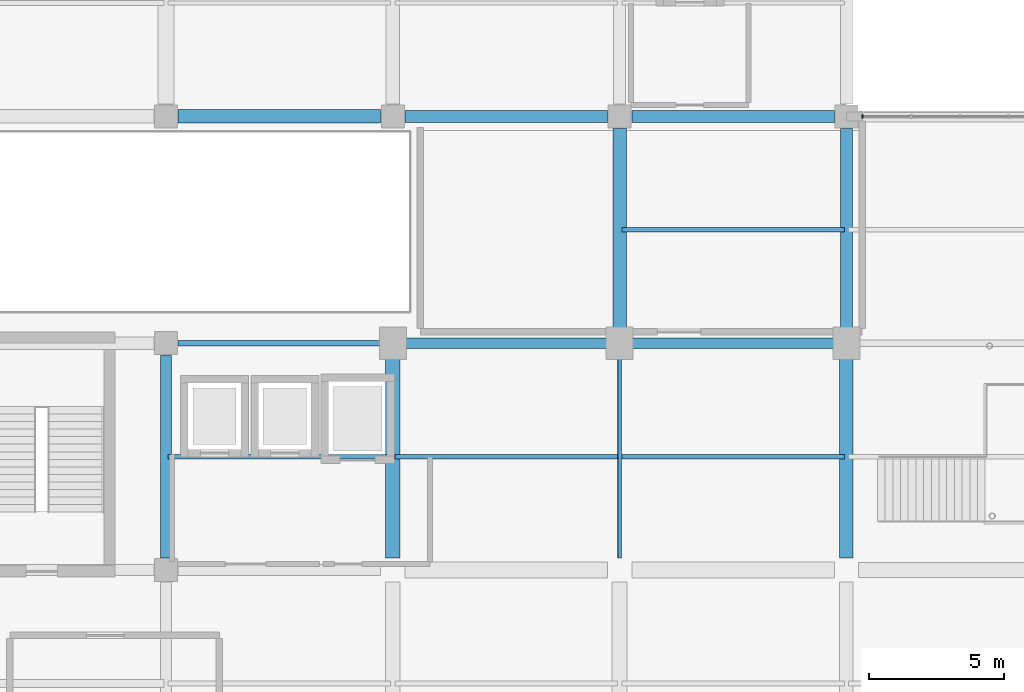
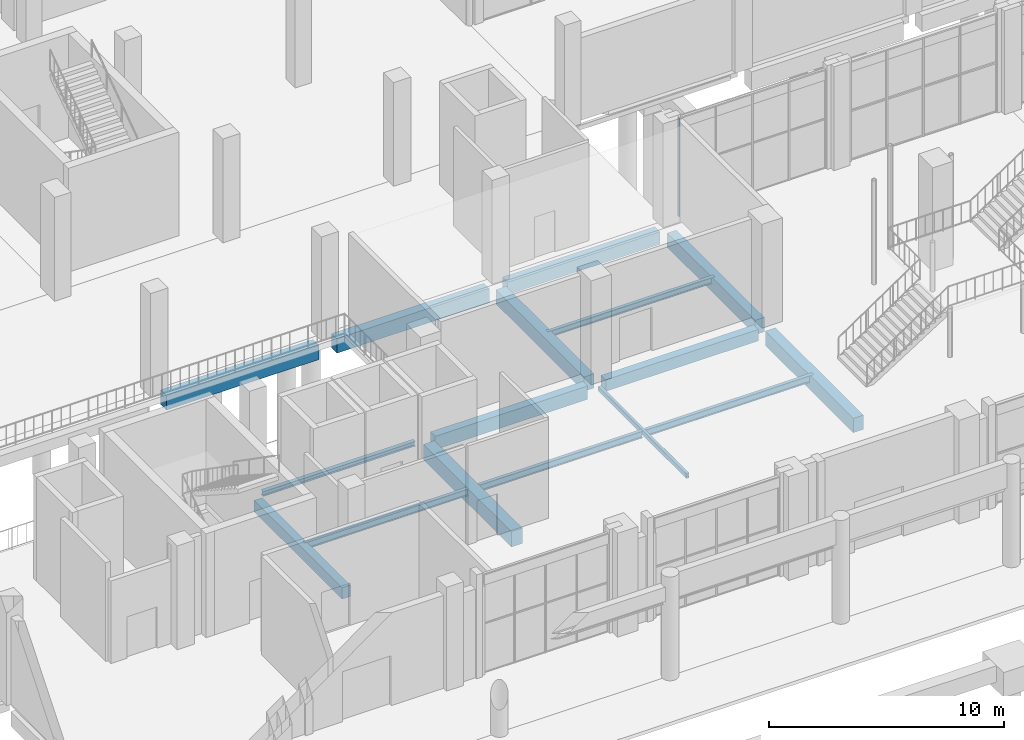
# One storey, part 22 of 82: 16 beams, 1 member, 1 element without a shape of its own.
"""IFC4 building model written with IfcOpenShell, lengths in metres."""

from ifc_helpers import new_model, si_unit, derived_unit, direction, frame, origin, origin_2d, place, context, subcontext, project, spatial, rectangle, hollow_rectangle, i_section, extrude, material, material_profile, profile_set, type_object, element, aggregate, save


model = new_model("IFC4")

# Units and contexts
model_context = context("Model", 3, precision=1e-05, world=origin(), true_north=direction((0.0, 1.0)))
body_context = subcontext(model_context, "Body", "Model", "MODEL_VIEW")
ifc_project = project(units=[si_unit("LENGTHUNIT", "METRE"), si_unit("AREAUNIT", "SQUARE_METRE"), si_unit("VOLUMEUNIT", "CUBIC_METRE"), si_unit("PLANEANGLEUNIT", "RADIAN"), si_unit("MASSUNIT", "GRAM", prefix="KILO"), derived_unit("THERMALTRANSMITTANCEUNIT", [(si_unit("POWERUNIT", "WATT"), 1), (si_unit("LENGTHUNIT", "METRE"), -2), (si_unit("THERMODYNAMICTEMPERATUREUNIT", "KELVIN"), -1)])], contexts=[model_context])

# Site, building, storey
site_placement = place(None, origin())
site = spatial("IfcSite", under=ifc_project, at=site_placement, CompositionType="ELEMENT")
building_placement = place(site_placement, origin())
building = spatial("IfcBuilding", under=site, at=building_placement, Name="Barrovel Congress Hotel", CompositionType="ELEMENT")
storey_placement = place(building_placement, origin())
storey = spatial("IfcBuildingStorey", under=building, at=storey_placement, Name="L00", CompositionType="ELEMENT", Elevation=0.0)

# Beams
ifc_material_1 = material(Name="Concrete C40", Category="concrete")
ifc_material_profile_1 = material_profile(ifc_material_1, rectangle(XDim=0.39990234375, YDim=0.60009765625, at=origin_2d()), Name="RC400x600")
ifc_profile_set_1 = profile_set([ifc_material_profile_1], Name="Concrete C40")
beam_type_1 = type_object("IfcBeamType", Name="BM-RC400x600", PredefinedType="BEAM", material=ifc_profile_set_1)
for number, where, z_axis, x_axis, name in (
    (1, (50.85009765625, 21.0, -0.6201171875), (1.0, 0.0, 0.0), (0.0, 1.0, 0.0), "BMX:L00:21.0:50.4-58.8"),
    (2, (33.60009765625, 13.050048828125, -0.6201171875), (0.0, 1.0, 0.0), (-1.0, 0.0, 0.0), "BMY:L00:33.6:12.6-21.0"),
):
    element("IfcBeam", number, at=place(storey_placement, frame(where, z_axis=z_axis, x_axis=x_axis)), inside=storey, type_object=beam_type_1, Name=name, PredefinedType="BEAM", context=body_context, shape_type="SweptSolid", body=[
        extrude(rectangle(XDim=0.39990234375, YDim=0.60009765625, at=origin_2d()), origin(), (0.0, 0.0, 1.0), 7.5),
    ])
ifc_material_profile_2 = material_profile(ifc_material_1, rectangle(XDim=0.39990234375, YDim=0.699951171875, at=origin_2d()), Name="RC400x700")
ifc_profile_set_2 = profile_set([ifc_material_profile_2], Name="Concrete C40")
beam_type_2 = type_object("IfcBeamType", Name="BM-RC400x700", PredefinedType="BEAM", material=ifc_profile_set_2)
beam_1_placement = place(storey_placement, frame((42.449951171875, 21.0, -0.669921875), z_axis=(1.0, 0.0, 0.0), x_axis=(0.0, 1.0, 0.0)))
element("IfcBeam", 3, at=beam_1_placement, inside=storey, type_object=beam_type_2, Name="BMX:L00:21.0:42.0-50.4", PredefinedType="BEAM", context=body_context, shape_type="SweptSolid", body=[
    extrude(rectangle(XDim=0.39990234375, YDim=0.699951171875, at=origin_2d()), origin(), (0.0, 0.0, 1.0), 7.5),
])
ifc_material_profile_3 = material_profile(ifc_material_1, rectangle(XDim=0.449951171875, YDim=0.64990234375, at=origin_2d()), Name="RC450x650")
ifc_profile_set_3 = profile_set([ifc_material_profile_3], Name="Concrete C40")
beam_type_3 = type_object("IfcBeamType", Name="BM-RC450x650", PredefinedType="BEAM", material=ifc_profile_set_3)
beam_2_placement = place(storey_placement, frame((50.85009765625, 29.39990234375, -0.64501953125), z_axis=(1.0, 0.0, 0.0), x_axis=(0.0, 1.0, 0.0)))
element("IfcBeam", 4, at=beam_2_placement, inside=storey, type_object=beam_type_3, Name="BMX:L00:29.4:50.4-58.8", PredefinedType="BEAM", context=body_context, shape_type="SweptSolid", body=[
    extrude(rectangle(XDim=0.449951171875, YDim=0.64990234375, at=origin_2d()), origin(), (0.0, 0.0, 1.0), 7.5),
])
ifc_material_profile_4 = material_profile(ifc_material_1, rectangle(XDim=0.449951171875, YDim=0.75, at=origin_2d()), Name="RC450x750")
ifc_profile_set_4 = profile_set([ifc_material_profile_4], Name="Concrete C40")
beam_type_4 = type_object("IfcBeamType", Name="BM-RC450x750", PredefinedType="BEAM", material=ifc_profile_set_4)
for number, where, z_axis, x_axis, name in (
    (5, (42.449951171875, 29.39990234375, -0.695068359375), (1.0, 0.0, 0.0), (0.0, 1.0, 0.0), "BMX:L00:29.4:42.0-50.4"),
    (6, (58.800048828125, 21.449951171875, -0.695068359375), (0.0, 1.0, 0.0), (-1.0, 0.0, 0.0), "BMY:L00:58.8:21.0-29.4"),
):
    element("IfcBeam", number, at=place(storey_placement, frame(where, z_axis=z_axis, x_axis=x_axis)), inside=storey, type_object=beam_type_4, Name=name, PredefinedType="BEAM", context=body_context, shape_type="SweptSolid", body=[
        extrude(rectangle(XDim=0.449951171875, YDim=0.75, at=origin_2d()), origin(), (0.0, 0.0, 1.0), 7.5),
    ])
ifc_material_profile_5 = material_profile(ifc_material_1, rectangle(XDim=0.5, YDim=0.75, at=origin_2d()), Name="RC500x750")
ifc_profile_set_5 = profile_set([ifc_material_profile_5], Name="Concrete C40")
beam_type_5 = type_object("IfcBeamType", Name="BM-RC500x750", PredefinedType="BEAM", material=ifc_profile_set_5)
for number, where, z_axis, x_axis, name in (
    (7, (34.050048828125, 29.39990234375, -0.695068359375), (1.0, 0.0, 0.0), (0.0, 1.0, 0.0), "BMX:L00:29.4:33.6-42.0"),
    (8, (50.39990234375, 21.449951171875, -0.695068359375), (0.0, 1.0, 0.0), (-1.0, 0.0, 0.0), "BMY:L00:50.4:21.0-29.4"),
    (9, (58.800048828125, 13.050048828125, -0.695068359375), (0.0, 1.0, 0.0), (-1.0, 0.0, 0.0), "BMY:L00:58.8:12.6-21.0"),
):
    element("IfcBeam", number, at=place(storey_placement, frame(where, z_axis=z_axis, x_axis=x_axis)), inside=storey, type_object=beam_type_5, Name=name, PredefinedType="BEAM", context=body_context, shape_type="SweptSolid", body=[
        extrude(rectangle(XDim=0.5, YDim=0.75, at=origin_2d()), origin(), (0.0, 0.0, 1.0), 7.5),
    ])
ifc_material_profile_6 = material_profile(ifc_material_1, rectangle(XDim=0.550048828125, YDim=0.800048828125, at=origin_2d()), Name="RC550x800")
ifc_profile_set_6 = profile_set([ifc_material_profile_6], Name="Concrete C40")
beam_type_6 = type_object("IfcBeamType", Name="BM-RC550x800", PredefinedType="BEAM", material=ifc_profile_set_6)
beam_3_placement = place(storey_placement, frame((42.0, 13.050048828125, -0.719970703125), z_axis=(0.0, 1.0, 0.0), x_axis=(-1.0, 0.0, 0.0)))
element("IfcBeam", 10, at=beam_3_placement, inside=storey, type_object=beam_type_6, Name="BMY:L00:42.0:12.6-21.0", PredefinedType="BEAM", context=body_context, shape_type="SweptSolid", body=[
    extrude(rectangle(XDim=0.550048828125, YDim=0.800048828125, at=origin_2d()), origin(), (0.0, 0.0, 1.0), 7.5),
])

# Curtain wall, member
ifc_material_2 = material(Name="Anodised Aluminium Alloy 6063-T6", Category="aluminium")
curtain_wall_type = type_object("IfcCurtainWallType", Name="CW-ST-7200x4800", PredefinedType="USERDEFINED", material=ifc_material_2)
curtain_wall_placement = place(storey_placement, origin())
curtain_wall = element("IfcCurtainWall", 11, at=curtain_wall_placement, inside=storey, type_object=curtain_wall_type, Name="CW:L00:CS:07", ObjectType="STICK CURTAIN WALL", PredefinedType="USERDEFINED")
ifc_material_profile_7 = material_profile(ifc_material_2, rectangle(XDim=0.06005859375, YDim=0.139892578125, at=origin_2d()), Name="AL-M60x140")
ifc_profile_set_7 = profile_set([ifc_material_profile_7], Name="Anodised Aluminium Alloy 6063-T6")
member_type = type_object("IfcMemberType", Name="CWM-AL-M60x140", PredefinedType="MULLION", material=ifc_profile_set_7)
member_placement = place(storey_placement, frame((59.39990234375, 29.39990234375, 0.0), z_axis=(0.0, 0.0, 1.0), x_axis=(1.0, 0.0, 0.0)))
member = element("IfcMember", 12, at=member_placement, type_object=member_type, Name="CW:L00:CS:07:M4", PredefinedType="MULLION", context=body_context, shape_type="SweptSolid", body=[
    extrude(rectangle(XDim=0.06005859375, YDim=0.139892578125, at=origin_2d()), origin(), (0.0, 0.0, 1.0), 5.1201171875),
])
aggregate(curtain_wall, [member])

# Beams
ifc_material_3 = material(Name="Steel ASTM A500 Grade C", Category="steel")
ifc_material_profile_8 = material_profile(ifc_material_3, hollow_rectangle(XDim=0.15234375, YDim=0.25390625, WallThickness=0.0087890625, InnerFilletRadius=0.0087890625, OuterFilletRadius=0.017578125, at=origin_2d()), Name="HSS254x152x9.5")
ifc_profile_set_8 = profile_set([ifc_material_profile_8], Name="Steel ASTM A500 Grade C")
beam_type_7 = type_object("IfcBeamType", Name="SBM-HSS254x152x9.5", PredefinedType="SPANDREL", material=ifc_profile_set_8)
beam_4_placement = place(storey_placement, frame((50.39990234375, 13.050048828125, -0.447021484375), z_axis=(0.0, 1.0, 0.0), x_axis=(-1.0, 0.0, 0.0)))
element("IfcBeam", 13, at=beam_4_placement, inside=storey, type_object=beam_type_7, Name="BMY:L00:50.4:12.6-21.0", PredefinedType="SPANDREL", context=body_context, shape_type="SweptSolid", body=[
    extrude(hollow_rectangle(XDim=0.15234375, YDim=0.25390625, WallThickness=0.0087890625, InnerFilletRadius=0.0087890625, OuterFilletRadius=0.017578125, at=origin_2d()), origin(), (0.0, 0.0, 1.0), 7.5),
])
ifc_material_4 = material(Name="Steel ASTM A992 Grade 50", Category="steel")
ifc_material_profile_9 = material_profile(ifc_material_4, i_section(OverallWidth=0.201904296875, OverallDepth=0.2470703125, WebThickness=0.00732421875, FlangeThickness=0.010986328125, FilletRadius=0.011962890625, at=origin_2d()), Name="W250x49")
ifc_profile_set_9 = profile_set([ifc_material_profile_9], Name="Steel ASTM A992 Grade 50")
beam_type_8 = type_object("IfcBeamType", Name="SBM-W250x49", PredefinedType="SPANDREL", material=ifc_profile_set_9)
beam_5_placement = place(storey_placement, frame((34.050048828125, 21.0, -0.443603515625), z_axis=(1.0, 0.0, 0.0), x_axis=(0.0, 1.0, 0.0)))
element("IfcBeam", 14, at=beam_5_placement, inside=storey, type_object=beam_type_8, Name="BMX:L00:21.0:33.6-42.0", PredefinedType="SPANDREL", context=body_context, shape_type="SweptSolid", body=[
    extrude(i_section(OverallWidth=0.201904296875, OverallDepth=0.2470703125, WebThickness=0.00732421875, FlangeThickness=0.010986328125, FilletRadius=0.011962890625, at=origin_2d()), origin(), (0.0, 0.0, 1.0), 7.5),
])
ifc_material_profile_10 = material_profile(ifc_material_4, i_section(OverallWidth=0.1669921875, OverallDepth=0.31689453125, WebThickness=0.007568359375, FlangeThickness=0.01318359375, FilletRadius=0.010986328125, at=origin_2d()), Name="W310x52")
ifc_profile_set_10 = profile_set([ifc_material_profile_10], Name="Steel ASTM A992 Grade 50")
beam_type_9 = type_object("IfcBeamType", Name="SBM-W310x52", PredefinedType="JOIST", material=ifc_profile_set_10)
beam_6_placement = place(storey_placement, frame((50.47998046875, 25.199951171875, -0.478515625), z_axis=(1.0, 0.0, 0.0), x_axis=(0.0, 1.0, 0.0)))
element("IfcBeam", 15, at=beam_6_placement, inside=storey, type_object=beam_type_9, Name="JST:L00:50.4:25.2", PredefinedType="JOIST", context=body_context, shape_type="SweptSolid", body=[
    extrude(i_section(OverallWidth=0.1669921875, OverallDepth=0.31689453125, WebThickness=0.007568359375, FlangeThickness=0.01318359375, FilletRadius=0.010986328125, at=origin_2d()), origin(), (0.0, 0.0, 1.0), 8.239990234375),
])
ifc_material_profile_11 = material_profile(ifc_material_4, i_section(OverallWidth=0.1708984375, OverallDepth=0.35205078125, WebThickness=0.0068359375, FlangeThickness=0.009765625, FilletRadius=0.011962890625, at=origin_2d()), Name="W360x44")
ifc_profile_set_11 = profile_set([ifc_material_profile_11], Name="Steel ASTM A992 Grade 50")
beam_type_10 = type_object("IfcBeamType", Name="SBM-W360x44", PredefinedType="JOIST", material=ifc_profile_set_11)
for number, where, z_axis, x_axis, name in (
    (16, (33.679931640625, 16.800048828125, -0.49609375), (1.0, 0.0, 0.0), (0.0, 1.0, 0.0), "JST:L00:33.6:16.8"),
    (17, (42.080078125, 16.800048828125, -0.49609375), (1.0, 0.0, 0.0), (0.0, 1.0, 0.0), "JST:L00:42.0:16.8"),
    (18, (50.47998046875, 16.800048828125, -0.49609375), (1.0, 0.0, 0.0), (0.0, 1.0, 0.0), "JST:L00:50.4:16.8"),
):
    element("IfcBeam", number, at=place(storey_placement, frame(where, z_axis=z_axis, x_axis=x_axis)), inside=storey, type_object=beam_type_10, Name=name, PredefinedType="JOIST", context=body_context, shape_type="SweptSolid", body=[
        extrude(i_section(OverallWidth=0.1708984375, OverallDepth=0.35205078125, WebThickness=0.0068359375, FlangeThickness=0.009765625, FilletRadius=0.011962890625, at=origin_2d()), origin(), (0.0, 0.0, 1.0), 8.239990234375),
    ])

save(model, "model.ifc")
